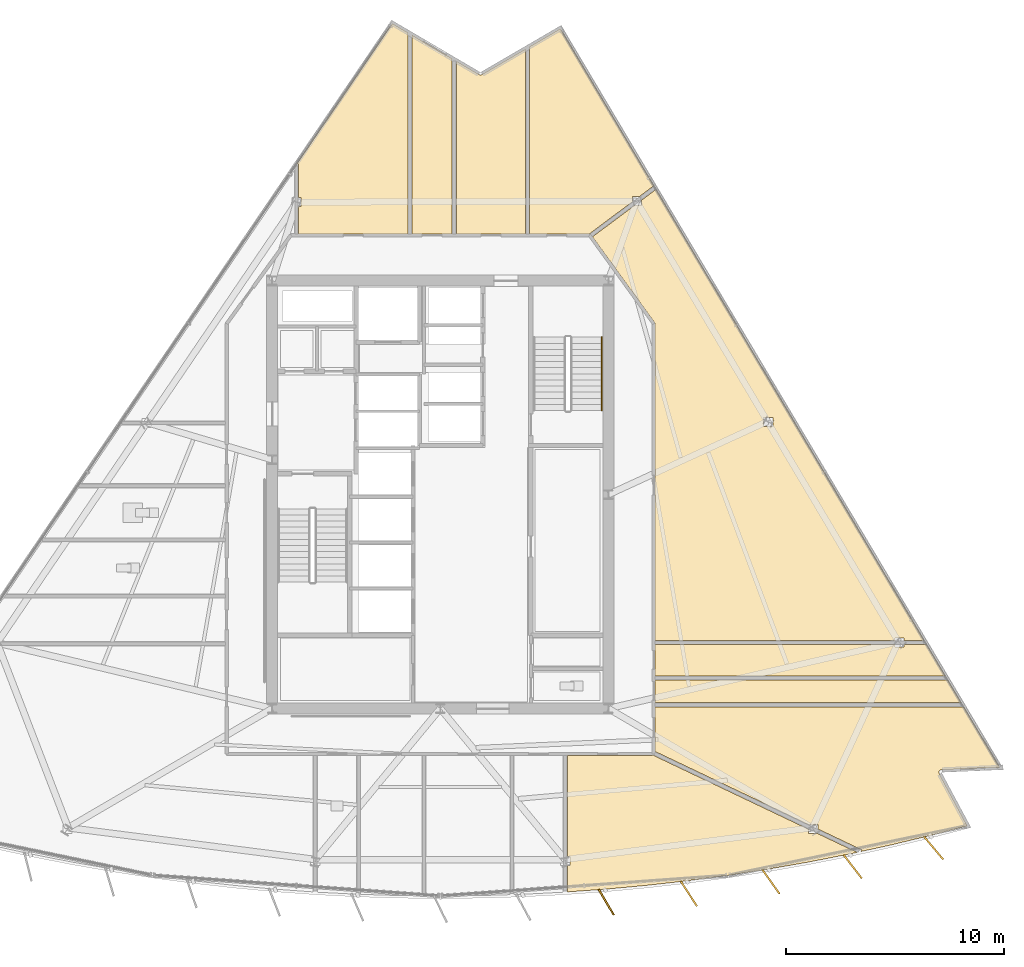
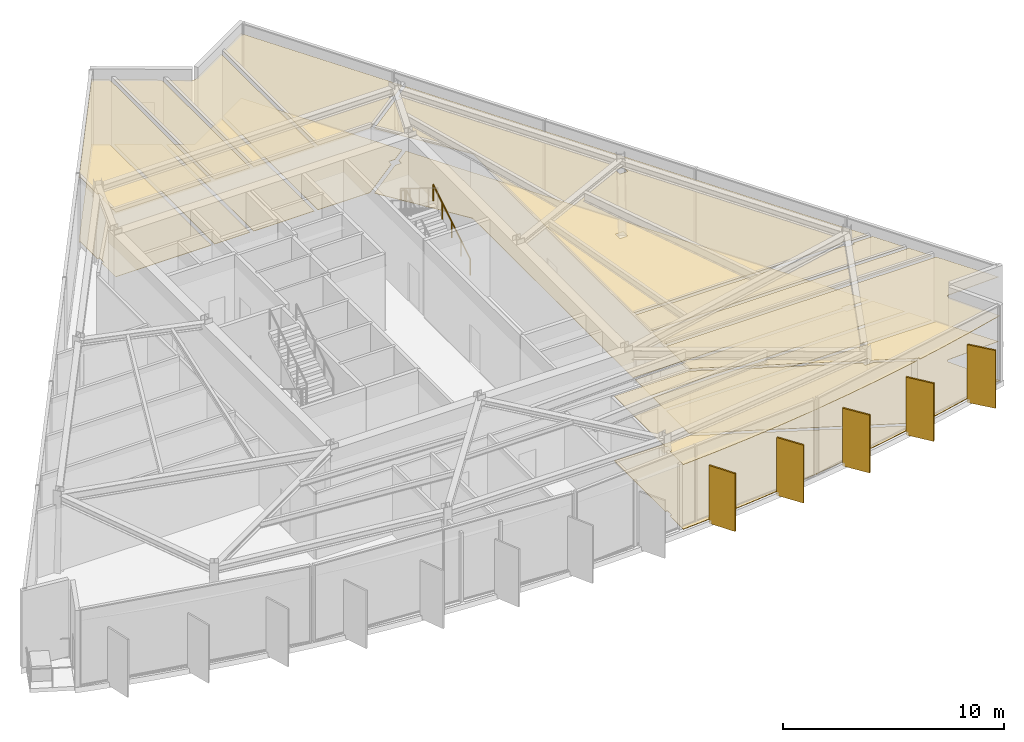
# One storey, part 12 of 13: 18 coverings, 5 shading devices, 1 railing.
"""IFC4 building model written with IfcOpenShell, lengths in metres."""

from ifc_helpers import new_model, si_unit, direction, frame, origin, origin_2d, place, context, subcontext, project, spatial, polyline, rectangle, circle, outline, extrude, material, layer, layer_set, type_object, element, save


model = new_model("IFC4")

# Units and contexts
model_context = context("Model", 3, precision=1e-05, world=origin(), true_north=direction((0.0, 1.0)))
body_context = subcontext(model_context, "Body", "Model", "MODEL_VIEW")
ifc_project = project(units=[si_unit("LENGTHUNIT", "METRE"), si_unit("AREAUNIT", "SQUARE_METRE"), si_unit("VOLUMEUNIT", "CUBIC_METRE"), si_unit("PLANEANGLEUNIT", "RADIAN"), si_unit("MASSUNIT", "GRAM", prefix="KILO")], contexts=[model_context])

# Site, building, storey
site_placement = place(None, origin())
site = spatial("IfcSite", under=ifc_project, at=site_placement, CompositionType="ELEMENT")
building_placement = place(site_placement, origin())
building = spatial("IfcBuilding", under=site, at=building_placement, Name="Savorim Split Tower", CompositionType="ELEMENT")
storey_placement = place(building_placement, frame((0.0, 0.0, 190.199951171875)))
storey = spatial("IfcBuildingStorey", under=building, at=storey_placement, Name="L50", CompositionType="ELEMENT", Elevation=190.199951171875)

# Coverings
ifc_material_1 = material(Name="Mineral Fibre Acoustic Ceiling")
ifc_layer_1 = layer(ifc_material_1, 0.02490234375)
ifc_layer_set_1 = layer_set([ifc_layer_1], Name="COV-CEIL-25")
covering_type_1 = type_object("IfcCoveringType", Name="COV-CEIL-25", PredefinedType="CEILING", material=ifc_layer_set_1)
covering_1_placement = place(storey_placement, frame((0.0, 0.0, 3.570068359375)))
element("IfcCovering", 1, at=covering_1_placement, inside=storey, type_object=covering_type_1, Name="L50 Communal Lounge Acoustic Ceiling", PredefinedType="CEILING", context=body_context, shape_type="SweptSolid", body=[
    extrude(outline(polyline([(13.18359375, -17.03662109375), (15.051025390625, -16.74755859375), (16.912353515625, -16.420654296875), (18.7666015625, -16.055419921875), (19.092529296875, -15.984375), (17.28564453125, -15.1240234375), (16.870361328125, -15.1240234375), (16.870361328125, -14.92626953125), (9.7822265625, -11.551513671875), (9.743408203125, -11.532958984375), (9.740478515625, -11.533935546875), (9.727294921875, -11.537353515625), (9.713623046875, -11.539306640625), (9.699951171875, -11.5400390625), (5.819091796875, -11.5400390625), (5.819091796875, -16.1748046875), (5.93310546875, -16.1748046875), (5.93310546875, -16.581787109375), (5.819091796875, -16.581787109375), (5.819091796875, -17.754150390625), (5.819091796875, -17.79736328125), (7.55078125, -17.673095703125), (9.4326171875, -17.49951171875), (11.310302734375, -17.287109375), (13.18359375, -17.03662109375)])), origin(), (0.0, 0.0, 1.0), 0.02490234375),
])
covering_2_placement = place(storey_placement, frame((0.0, 0.0, 3.570068359375)))
element("IfcCovering", 2, at=covering_2_placement, inside=storey, type_object=covering_type_1, Name="L50 Co-Working Commons Acoustic Ceiling", PredefinedType="CEILING", context=body_context, shape_type="SweptSolid", body=[
    extrude(outline(polyline([(22.926513671875, -12.2060546875), (22.93798828125, -12.203857421875), (22.949462890625, -12.202880859375), (25.611083984375, -12.089599609375), (23.962646484375, -9.317138671875), (9.840087890625, -9.317138671875), (9.840087890625, -11.36865234375), (16.872802734375, -14.717041015625), (17.288330078125, -14.717041015625), (17.288330078125, -14.914794921875), (19.211181640625, -15.830322265625), (19.297119140625, -15.871337890625), (19.260498046875, -15.94775390625), (20.61279296875, -15.652587890625), (22.450439453125, -15.2119140625), (24.132568359375, -14.772216796875), (22.848876953125, -12.37939453125), (22.84375, -12.368896484375), (22.83984375, -12.358154296875), (22.8369140625, -12.346923828125), (22.835205078125, -12.335693359375), (22.83447265625, -12.32421875), (22.8349609375, -12.3125), (22.83642578125, -12.301025390625), (22.839111328125, -12.289794921875), (22.8427734375, -12.27880859375), (22.847412109375, -12.268310546875), (22.853271484375, -12.25830078125), (22.85986328125, -12.248779296875), (22.867431640625, -12.240234375), (22.875732421875, -12.232177734375), (22.884765625, -12.22509765625), (22.89453125, -12.21875), (22.90478515625, -12.21337890625), (22.91552734375, -12.209228515625), (22.926513671875, -12.2060546875)])), origin(), (0.0, 0.0, 1.0), 0.02490234375),
])
covering_3_placement = place(storey_placement, frame((0.0, 0.0, 3.570068359375)))
element("IfcCovering", 3, at=covering_3_placement, inside=storey, type_object=covering_type_1, Name="L50 Co-Working Commons Acoustic Ceiling", PredefinedType="CEILING", context=body_context, shape_type="SweptSolid", body=[
    extrude(outline(polyline([(23.849609375, -9.127197265625), (23.23681640625, -8.096435546875), (9.840087890625, -8.096435546875), (9.840087890625, -9.127197265625), (23.849609375, -9.127197265625)])), origin(), (0.0, 0.0, 1.0), 0.02490234375),
])
covering_4_placement = place(storey_placement, frame((0.0, 0.0, 3.570068359375)))
element("IfcCovering", 4, at=covering_4_placement, inside=storey, type_object=covering_type_1, Name="L50 Quiet Study Room Acoustic Ceiling", PredefinedType="CEILING", context=body_context, shape_type="SweptSolid", body=[
    extrude(outline(polyline([(20.821533203125, -6.584228515625), (20.821533203125, -6.475830078125), (9.840087890625, -6.475830078125), (9.840087890625, -7.906494140625), (23.123779296875, -7.906494140625), (22.25341796875, -6.44287109375), (22.25341796875, -6.475830078125), (21.239501953125, -6.475830078125), (21.239501953125, -6.584228515625), (20.821533203125, -6.584228515625)])), origin(), (0.0, 0.0, 1.0), 0.02490234375),
])
covering_5_placement = place(storey_placement, frame((0.0, 0.0, 3.570068359375)))
element("IfcCovering", 5, at=covering_5_placement, inside=storey, type_object=covering_type_1, Name="L50 Co-Working Commons Acoustic Ceiling", PredefinedType="CEILING", context=body_context, shape_type="SweptSolid", body=[
    extrude(outline(polyline([(21.239501953125, -6.17724609375), (21.239501953125, -6.285888671875), (22.158447265625, -6.285888671875), (22.16015625, -6.285888671875), (9.87548828125, 14.3740234375), (9.214111328125, 13.88037109375), (9.214111328125, 13.639404296875), (8.89111328125, 13.639404296875), (6.97021484375, 12.2060546875), (6.968994140625, 12.205078125), (9.813232421875, 8.2822265625), (9.8212890625, 8.27001953125), (9.827880859375, 8.2568359375), (9.833251953125, 8.2431640625), (9.8369140625, 8.22900390625), (9.839111328125, 8.214599609375), (9.840087890625, 8.199951171875), (9.840087890625, -6.285888671875), (20.821533203125, -6.285888671875), (20.821533203125, -6.17724609375), (21.239501953125, -6.17724609375)]), holes=[polyline([(15.226806640625, 3.527587890625), (15.226806640625, 3.9345703125), (14.80859375, 3.9345703125), (14.80859375, 3.527587890625), (15.226806640625, 3.527587890625)])]), origin(), (0.0, 0.0, 1.0), 0.02490234375),
])
covering_6_placement = place(storey_placement, frame((0.0, 0.0, 3.570068359375)))
element("IfcCovering", 6, at=covering_6_placement, inside=storey, type_object=covering_type_1, Name="L50 Quiet Study Room Acoustic Ceiling", PredefinedType="CEILING", context=body_context, shape_type="SweptSolid", body=[
    extrude(outline(polyline([(9.7294921875, 14.502197265625), (9.77783203125, 14.5380859375), (5.499267578125, 21.7333984375), (4.0966796875, 20.916015625), (4.0966796875, 12.340087890625), (6.800048828125, 12.340087890625), (6.813232421875, 12.33935546875), (6.826416015625, 12.33740234375), (6.828125, 12.337158203125), (8.7958984375, 13.805419921875), (8.7958984375, 14.04638671875), (9.118896484375, 14.04638671875), (9.7294921875, 14.502197265625)])), origin(), (0.0, 0.0, 1.0), 0.02490234375),
])
covering_7_placement = place(storey_placement, frame((0.0, 0.0, 3.570068359375)))
element("IfcCovering", 7, at=covering_7_placement, inside=storey, type_object=covering_type_1, Name="L50 Co-Working Commons Acoustic Ceiling", PredefinedType="CEILING", context=body_context, shape_type="SweptSolid", body=[
    extrude(outline(polyline([(1.800537109375, 19.626708984375), (1.789794921875, 19.631103515625), (1.779541015625, 19.636474609375), (0.736572265625, 20.24951171875), (0.736572265625, 12.340087890625), (3.90673828125, 12.340087890625), (3.90673828125, 20.805419921875), (1.90087890625, 19.63623046875), (1.890625, 19.631103515625), (1.8798828125, 19.626708984375), (1.868896484375, 19.623291015625), (1.857421875, 19.62109375), (1.845947265625, 19.6201171875), (1.83447265625, 19.6201171875), (1.822998046875, 19.621337890625), (1.8115234375, 19.62353515625), (1.800537109375, 19.626708984375)])), origin(), (0.0, 0.0, 1.0), 0.02490234375),
])
covering_8_placement = place(storey_placement, frame((0.0, 0.0, 3.570068359375)))
element("IfcCovering", 8, at=covering_8_placement, inside=storey, type_object=covering_type_1, Name="L50 Quiet Study Room Acoustic Ceiling", PredefinedType="CEILING", context=body_context, shape_type="SweptSolid", body=[
    extrude(outline(polyline([(-1.299560546875, 12.340087890625), (0.54638671875, 12.340087890625), (0.54638671875, 20.361328125), (-1.299560546875, 21.4462890625), (-1.299560546875, 12.340087890625)])), origin(), (0.0, 0.0, 1.0), 0.02490234375),
])
covering_9_placement = place(storey_placement, frame((0.0, 0.0, 3.570068359375)))
element("IfcCovering", 9, at=covering_9_placement, inside=storey, type_object=covering_type_1, Name="L50 Co-Working Commons Acoustic Ceiling", PredefinedType="CEILING", context=body_context, shape_type="SweptSolid", body=[
    extrude(outline(polyline([(-6.48681640625, 12.340087890625), (-1.489501953125, 12.340087890625), (-1.489501953125, 21.557861328125), (-2.197021484375, 21.9736328125), (-6.57763671875, 15.53369140625), (-6.48681640625, 15.53369140625), (-6.48681640625, 13.997802734375), (-6.372802734375, 13.997802734375), (-6.372802734375, 13.5908203125), (-6.48681640625, 13.5908203125), (-6.48681640625, 12.340087890625)])), origin(), (0.0, 0.0, 1.0), 0.02490234375),
])
ifc_material_2 = material(Name="Porcelain Stoneware Flooring", Category="masonry")
ifc_layer_2 = layer(ifc_material_2, 0.02001953125)
ifc_layer_set_2 = layer_set([ifc_layer_2], Name="COV-FLOR-20")
covering_type_2 = type_object("IfcCoveringType", Name="COV-FLOR-20", PredefinedType="FLOORING", material=ifc_layer_set_2)
covering_10_placement = place(storey_placement, origin())
element("IfcCovering", 10, at=covering_10_placement, inside=storey, type_object=covering_type_2, Name="L50 Communal Lounge Porcelain Flooring", PredefinedType="FLOORING", context=body_context, shape_type="SweptSolid", body=[
    extrude(outline(polyline([(13.18359375, -17.03662109375), (15.051025390625, -16.74755859375), (16.912353515625, -16.420654296875), (18.7666015625, -16.055419921875), (19.092529296875, -15.984375), (17.28564453125, -15.1240234375), (16.870361328125, -15.1240234375), (16.870361328125, -14.92626953125), (9.7822265625, -11.551513671875), (9.743408203125, -11.532958984375), (9.740478515625, -11.533935546875), (9.727294921875, -11.537353515625), (9.713623046875, -11.539306640625), (9.699951171875, -11.5400390625), (5.819091796875, -11.5400390625), (5.819091796875, -16.1748046875), (5.93310546875, -16.1748046875), (5.93310546875, -16.581787109375), (5.819091796875, -16.581787109375), (5.819091796875, -17.754150390625), (5.819091796875, -17.79736328125), (7.55078125, -17.673095703125), (9.4326171875, -17.49951171875), (11.310302734375, -17.287109375), (13.18359375, -17.03662109375)])), origin(), (0.0, 0.0, 1.0), 0.02001953125),
])
covering_11_placement = place(storey_placement, origin())
element("IfcCovering", 11, at=covering_11_placement, inside=storey, type_object=covering_type_2, Name="L50 Co-Working Commons Porcelain Flooring", PredefinedType="FLOORING", context=body_context, shape_type="SweptSolid", body=[
    extrude(outline(polyline([(22.926513671875, -12.2060546875), (22.93798828125, -12.203857421875), (22.949462890625, -12.202880859375), (25.611083984375, -12.089599609375), (23.962646484375, -9.317138671875), (9.840087890625, -9.317138671875), (9.840087890625, -11.36865234375), (16.872802734375, -14.717041015625), (17.288330078125, -14.717041015625), (17.288330078125, -14.914794921875), (19.211181640625, -15.830322265625), (19.297119140625, -15.871337890625), (19.260498046875, -15.94775390625), (20.61279296875, -15.652587890625), (22.450439453125, -15.2119140625), (24.132568359375, -14.772216796875), (22.848876953125, -12.37939453125), (22.84375, -12.368896484375), (22.83984375, -12.358154296875), (22.8369140625, -12.346923828125), (22.835205078125, -12.335693359375), (22.83447265625, -12.32421875), (22.8349609375, -12.3125), (22.83642578125, -12.301025390625), (22.839111328125, -12.289794921875), (22.8427734375, -12.27880859375), (22.847412109375, -12.268310546875), (22.853271484375, -12.25830078125), (22.85986328125, -12.248779296875), (22.867431640625, -12.240234375), (22.875732421875, -12.232177734375), (22.884765625, -12.22509765625), (22.89453125, -12.21875), (22.90478515625, -12.21337890625), (22.91552734375, -12.209228515625), (22.926513671875, -12.2060546875)])), origin(), (0.0, 0.0, 1.0), 0.02001953125),
])
covering_12_placement = place(storey_placement, origin())
element("IfcCovering", 12, at=covering_12_placement, inside=storey, type_object=covering_type_2, Name="L50 Co-Working Commons Porcelain Flooring", PredefinedType="FLOORING", context=body_context, shape_type="SweptSolid", body=[
    extrude(outline(polyline([(23.849609375, -9.127197265625), (23.23681640625, -8.096435546875), (9.840087890625, -8.096435546875), (9.840087890625, -9.127197265625), (23.849609375, -9.127197265625)])), origin(), (0.0, 0.0, 1.0), 0.02001953125),
])
covering_13_placement = place(storey_placement, origin())
element("IfcCovering", 13, at=covering_13_placement, inside=storey, type_object=covering_type_2, Name="L50 Quiet Study Room Porcelain Flooring", PredefinedType="FLOORING", context=body_context, shape_type="SweptSolid", body=[
    extrude(outline(polyline([(20.821533203125, -6.584228515625), (20.821533203125, -6.475830078125), (9.840087890625, -6.475830078125), (9.840087890625, -7.906494140625), (23.123779296875, -7.906494140625), (22.25341796875, -6.44287109375), (22.25341796875, -6.475830078125), (21.239501953125, -6.475830078125), (21.239501953125, -6.584228515625), (20.821533203125, -6.584228515625)])), origin(), (0.0, 0.0, 1.0), 0.02001953125),
])
covering_14_placement = place(storey_placement, origin())
element("IfcCovering", 14, at=covering_14_placement, inside=storey, type_object=covering_type_2, Name="L50 Co-Working Commons Porcelain Flooring", PredefinedType="FLOORING", context=body_context, shape_type="SweptSolid", body=[
    extrude(outline(polyline([(21.239501953125, -6.17724609375), (21.239501953125, -6.285888671875), (22.158447265625, -6.285888671875), (22.16015625, -6.285888671875), (9.87548828125, 14.3740234375), (9.214111328125, 13.88037109375), (9.214111328125, 13.639404296875), (8.89111328125, 13.639404296875), (6.97021484375, 12.2060546875), (6.968994140625, 12.205078125), (9.813232421875, 8.2822265625), (9.8212890625, 8.27001953125), (9.827880859375, 8.2568359375), (9.833251953125, 8.2431640625), (9.8369140625, 8.22900390625), (9.839111328125, 8.214599609375), (9.840087890625, 8.199951171875), (9.840087890625, -6.285888671875), (20.821533203125, -6.285888671875), (20.821533203125, -6.17724609375), (21.239501953125, -6.17724609375)]), holes=[polyline([(15.226806640625, 3.527587890625), (15.226806640625, 3.9345703125), (14.80859375, 3.9345703125), (14.80859375, 3.527587890625), (15.226806640625, 3.527587890625)])]), origin(), (0.0, 0.0, 1.0), 0.02001953125),
])
covering_15_placement = place(storey_placement, origin())
element("IfcCovering", 15, at=covering_15_placement, inside=storey, type_object=covering_type_2, Name="L50 Quiet Study Room Porcelain Flooring", PredefinedType="FLOORING", context=body_context, shape_type="SweptSolid", body=[
    extrude(outline(polyline([(9.7294921875, 14.502197265625), (9.77783203125, 14.5380859375), (5.499267578125, 21.7333984375), (4.0966796875, 20.916015625), (4.0966796875, 12.340087890625), (6.800048828125, 12.340087890625), (6.813232421875, 12.33935546875), (6.826416015625, 12.33740234375), (6.828125, 12.337158203125), (8.7958984375, 13.805419921875), (8.7958984375, 14.04638671875), (9.118896484375, 14.04638671875), (9.7294921875, 14.502197265625)])), origin(), (0.0, 0.0, 1.0), 0.02001953125),
])
covering_16_placement = place(storey_placement, origin())
element("IfcCovering", 16, at=covering_16_placement, inside=storey, type_object=covering_type_2, Name="L50 Co-Working Commons Porcelain Flooring", PredefinedType="FLOORING", context=body_context, shape_type="SweptSolid", body=[
    extrude(outline(polyline([(1.800537109375, 19.626708984375), (1.789794921875, 19.631103515625), (1.779541015625, 19.636474609375), (0.736572265625, 20.24951171875), (0.736572265625, 12.340087890625), (3.90673828125, 12.340087890625), (3.90673828125, 20.805419921875), (1.90087890625, 19.63623046875), (1.890625, 19.631103515625), (1.8798828125, 19.626708984375), (1.868896484375, 19.623291015625), (1.857421875, 19.62109375), (1.845947265625, 19.6201171875), (1.83447265625, 19.6201171875), (1.822998046875, 19.621337890625), (1.8115234375, 19.62353515625), (1.800537109375, 19.626708984375)])), origin(), (0.0, 0.0, 1.0), 0.02001953125),
])
covering_17_placement = place(storey_placement, origin())
element("IfcCovering", 17, at=covering_17_placement, inside=storey, type_object=covering_type_2, Name="L50 Quiet Study Room Porcelain Flooring", PredefinedType="FLOORING", context=body_context, shape_type="SweptSolid", body=[
    extrude(outline(polyline([(-1.299560546875, 12.340087890625), (0.54638671875, 12.340087890625), (0.54638671875, 20.361328125), (-1.299560546875, 21.4462890625), (-1.299560546875, 12.340087890625)])), origin(), (0.0, 0.0, 1.0), 0.02001953125),
])
covering_18_placement = place(storey_placement, origin())
element("IfcCovering", 18, at=covering_18_placement, inside=storey, type_object=covering_type_2, Name="L50 Co-Working Commons Porcelain Flooring", PredefinedType="FLOORING", context=body_context, shape_type="SweptSolid", body=[
    extrude(outline(polyline([(-6.48681640625, 12.340087890625), (-1.489501953125, 12.340087890625), (-1.489501953125, 21.557861328125), (-2.197021484375, 21.9736328125), (-6.57763671875, 15.53369140625), (-6.48681640625, 15.53369140625), (-6.48681640625, 13.997802734375), (-6.372802734375, 13.997802734375), (-6.372802734375, 13.5908203125), (-6.48681640625, 13.5908203125), (-6.48681640625, 12.340087890625)])), origin(), (0.0, 0.0, 1.0), 0.02001953125),
])

# Railing
ifc_material_3 = material(Name="Galvanised Painted Steel Balustrade", Category="steel")
railing_type = type_object("IfcRailingType", Name="RLG-HR-900", PredefinedType="HANDRAIL", material=ifc_material_3)
railing_placement = place(storey_placement, frame((7.39990234375, 4.25, 0.173095703125)))
element("IfcRailing", 19, at=railing_placement, inside=storey, type_object=railing_type, Name="L50 ST-2 stair handrail 1", PredefinedType="HANDRAIL", context=body_context, shape_type="SweptSolid", body=[
    extrude(circle(Radius=0.02392578125, at=origin_2d()), frame((0.0, 0.0, 0.8759765625), z_axis=(0.0, 0.850623216509, 0.525775754039), x_axis=(-1.0, 0.0, 0.0)), (0.0, 0.0, 1.0), 3.9501953125),
    extrude(circle(Radius=0.02099609375, at=origin_2d()), origin(), (0.0, 0.0, 1.0), 0.851806640625),
    extrude(circle(Radius=0.02099609375, at=origin_2d()), frame((0.0, 0.840087890625, 0.519287109375)), (0.0, 0.0, 1.0), 0.851806640625),
    extrude(circle(Radius=0.02099609375, at=origin_2d()), frame((0.0, 1.68017578125, 1.03857421875)), (0.0, 0.0, 1.0), 0.851806640625),
    extrude(circle(Radius=0.02099609375, at=origin_2d()), frame((0.0, 2.52001953125, 1.5576171875)), (0.0, 0.0, 1.0), 0.851806640625),
    extrude(circle(Radius=0.02099609375, at=origin_2d()), frame((0.0, 3.360107421875, 2.076904296875)), (0.0, 0.0, 1.0), 0.851806640625),
])

# Shading devices
ifc_material_4 = material(Name="Terracotta Ceramic-Coated Aluminium Fin", Category="masonry")
shading_device_type = type_object("IfcShadingDeviceType", Name="SHD-FIN-1360", PredefinedType="USERDEFINED", material=ifc_material_4)
for number, where, z_axis, x_axis, name in (
    (20, (7.599609375, -18.26708984375, -0.19970703125), (0.0, 0.0, 1.0), (0.510391336723, -0.859942255851, 0.0), "L50 Sawtooth Shading Fin 09"),
    (21, (11.38330078125, -17.878662109375, -0.19970703125), (0.0, 0.0, 1.0), (0.545148321708, -0.838339613366, 0.0), "L50 Sawtooth Shading Fin 10"),
    (22, (15.148193359375, -17.335693359375, -0.19970703125), (0.0, 0.0, 1.0), (0.578993757737, -0.815331974414, 0.0), "L50 Sawtooth Shading Fin 11"),
    (23, (18.8876953125, -16.63916015625, -0.19970703125), (0.0, 0.0, 1.0), (0.611868076908, -0.790959832394, 0.0), "L50 Sawtooth Shading Fin 12"),
    (24, (22.595458984375, -15.7900390625, -0.19970703125), (0.0, 0.0, 1.0), (0.643719022682, -0.765261928909, 0.0), "L50 Sawtooth Shading Fin 13"),
):
    element("IfcShadingDevice", number, at=place(storey_placement, frame(where, z_axis=z_axis, x_axis=x_axis)), inside=storey, type_object=shading_device_type, Name=name, ObjectType="FIN", PredefinedType="USERDEFINED", context=body_context, shape_type="SweptSolid", body=[
        extrude(rectangle(XDim=1.360107421875, YDim=0.080078125, at=origin_2d()), origin(), (0.0, 0.0, 1.0), 3.199951171875),
    ])

save(model, "model.ifc")
